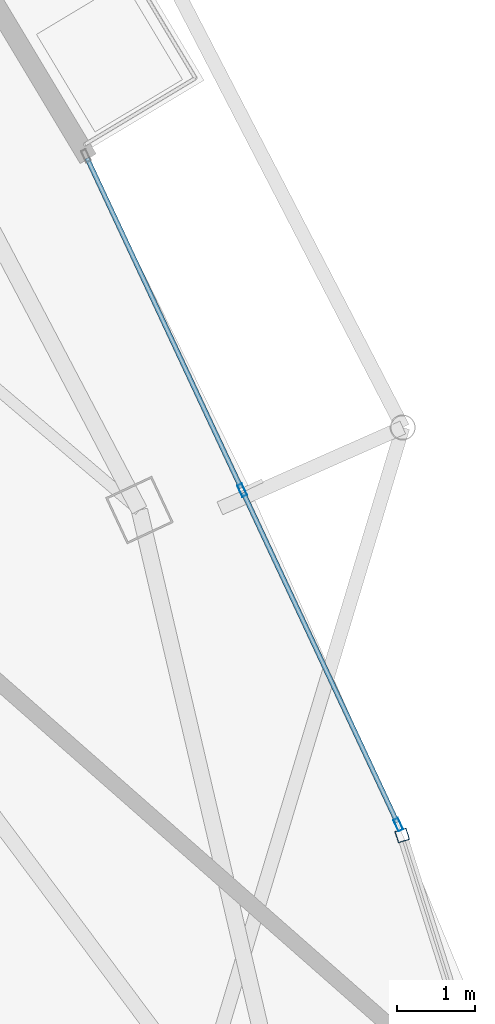
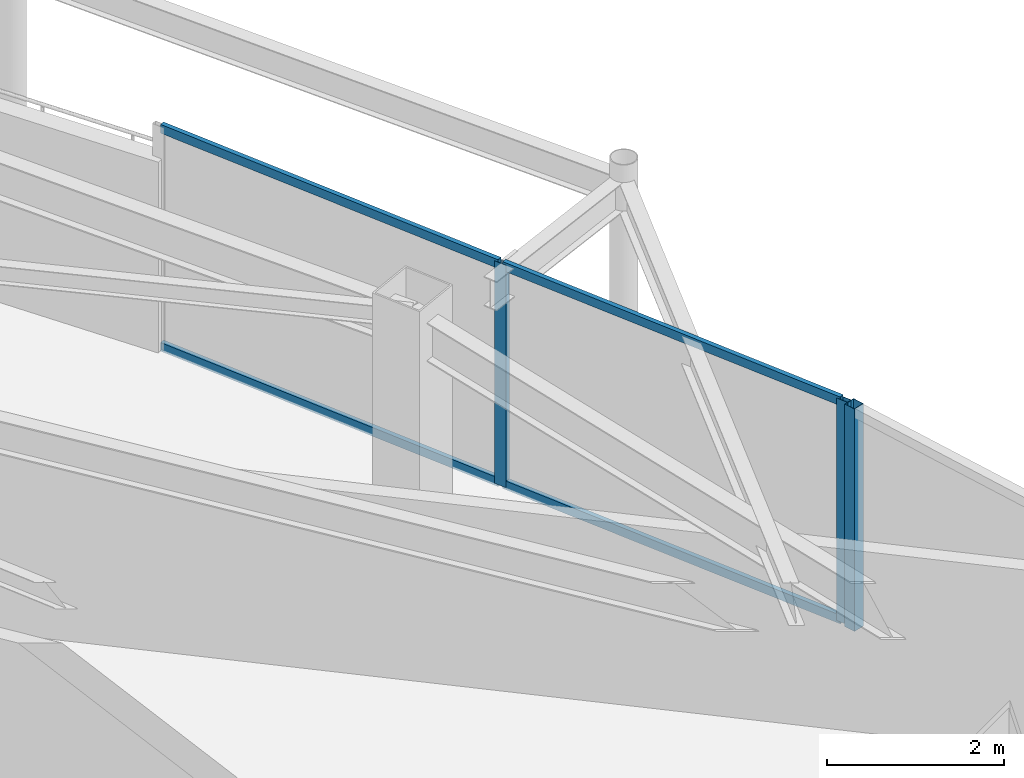
# One storey, part 16 of 28: 7 members, 2 elements without a shape of their own.
"""IFC4 building model written with IfcOpenShell, lengths in metres."""

from ifc_helpers import new_model, si_unit, direction, frame, origin, origin_2d, place, context, subcontext, project, spatial, hollow_rectangle, extrude, material, layer, layer_set, material_profile, profile_set, type_object, element, aggregate, save


model = new_model("IFC4")

# Units and contexts
model_context = context("Model", 3, precision=1e-05, world=origin(), true_north=direction((0.0, 1.0)))
body_context = subcontext(model_context, "Body", "Model", "MODEL_VIEW")
ifc_project = project(units=[si_unit("LENGTHUNIT", "METRE"), si_unit("AREAUNIT", "SQUARE_METRE"), si_unit("VOLUMEUNIT", "CUBIC_METRE"), si_unit("PLANEANGLEUNIT", "RADIAN"), si_unit("MASSUNIT", "GRAM", prefix="KILO")], contexts=[model_context])

# Site, building, storey
site_placement = place(None, origin())
site = spatial("IfcSite", under=ifc_project, at=site_placement, CompositionType="ELEMENT")
building_placement = place(site_placement, origin())
building = spatial("IfcBuilding", under=site, at=building_placement, Name="Orvanel Arch Residences", CompositionType="ELEMENT")
storey_placement = place(building_placement, frame((0.0, 0.0, 260.14990234375)))
storey = spatial("IfcBuildingStorey", under=building, at=storey_placement, Name="L74", CompositionType="ELEMENT", Elevation=260.14990234375)

# Curtain wall, member
ifc_material = material(Name="Bronze-anodised aluminium AA6063-T6", Category="aluminium")
ifc_layer_1 = layer(ifc_material, 0.18994140625)
ifc_layer_set_1 = layer_set([ifc_layer_1], Name="Bronze-anodised aluminium AA6063-T6")
curtain_wall_type_1 = type_object("IfcCurtainWallType", Name="CW5-CRN-SYS", PredefinedType="NOTDEFINED", material=ifc_layer_set_1)
curtain_wall_1_placement = place(storey_placement, origin())
curtain_wall_1 = element("IfcCurtainWall", 1, at=curtain_wall_1_placement, inside=storey, type_object=curtain_wall_type_1, Name="L74 CW5-CRN-SYS Unitised Curtain Wall", PredefinedType="NOTDEFINED")
ifc_material_profile_1 = material_profile(ifc_material, hollow_rectangle(XDim=0.14990234375, YDim=0.14990234375, WallThickness=0.0048828125, at=origin_2d()), Name="ALU150x150x5")
ifc_profile_set_1 = profile_set([ifc_material_profile_1], Name="Bronze-anodised aluminium AA6063-T6")
member_type_1 = type_object("IfcMemberType", Name="MUL-150x150", PredefinedType="MULLION", material=ifc_profile_set_1)
member_1_placement = place(storey_placement, frame((52.983642578125, 15.493408203125, 0.0), z_axis=(0.0, 0.0, 1.0), x_axis=(-0.953425503375, -0.30162859532, 0.0)))
member_1 = element("IfcMember", 2, at=member_1_placement, type_object=member_type_1, Name="CW-S5 mullion 2", PredefinedType="MULLION", context=body_context, shape_type="SweptSolid", body=[
    extrude(hollow_rectangle(XDim=0.14990234375, YDim=0.14990234375, WallThickness=0.0048828125, at=origin_2d()), origin(), (0.0, 0.0, 1.0), 3.06005859375),
])
aggregate(curtain_wall_1, [member_1])

# Curtain wall, members
ifc_layer_2 = layer(ifc_material, 0.175048828125)
ifc_layer_set_2 = layer_set([ifc_layer_2], Name="Bronze-anodised aluminium AA6063-T6")
curtain_wall_type_2 = type_object("IfcCurtainWallType", Name="CW4-HI-SYS", PredefinedType="NOTDEFINED", material=ifc_layer_set_2)
curtain_wall_2_placement = place(storey_placement, origin())
curtain_wall_2 = element("IfcCurtainWall", 3, at=curtain_wall_2_placement, inside=storey, type_object=curtain_wall_type_2, Name="L74 CW4-HI-SYS Unitised Curtain Wall", PredefinedType="NOTDEFINED")
ifc_material_profile_2 = material_profile(ifc_material, hollow_rectangle(XDim=0.06494140625, YDim=0.159912109375, WallThickness=0.00390625, at=origin_2d()), Name="ALU160x65x4")
ifc_profile_set_2 = profile_set([ifc_material_profile_2], Name="Bronze-anodised aluminium AA6063-T6")
member_type_2 = type_object("IfcMemberType", Name="MUL-160x65", PredefinedType="MULLION", material=ifc_profile_set_2)
member_2_placement = place(storey_placement, frame((52.933349609375, 15.63134765625, 0.0), z_axis=(0.0, 0.0, 1.0), x_axis=(-0.906094149888, -0.423076106083, 0.0)))
member_2 = element("IfcMember", 4, at=member_2_placement, type_object=member_type_2, Name="CW-S4 mullion 1", PredefinedType="MULLION", context=body_context, shape_type="SweptSolid", body=[
    extrude(hollow_rectangle(XDim=0.06494140625, YDim=0.159912109375, WallThickness=0.00390625, at=origin_2d()), origin(), (0.0, 0.0, 1.0), 3.06005859375),
])
member_3_placement = place(storey_placement, frame((50.9423828125, 19.89501953125, 0.0), z_axis=(0.0, 0.0, 1.0), x_axis=(-0.906094149888, -0.423076106083, 0.0)))
member_3 = element("IfcMember", 5, at=member_3_placement, type_object=member_type_2, Name="CW-S4 mullion 2", PredefinedType="MULLION", context=body_context, shape_type="SweptSolid", body=[
    extrude(hollow_rectangle(XDim=0.06494140625, YDim=0.159912109375, WallThickness=0.00390625, at=origin_2d()), origin(), (0.0, 0.0, 1.0), 3.06005859375),
])
ifc_material_profile_3 = material_profile(ifc_material, hollow_rectangle(XDim=0.06005859375, YDim=0.1201171875, WallThickness=0.00341796875, at=origin_2d()), Name="ALU120x60x3.5")
ifc_profile_set_3 = profile_set([ifc_material_profile_3], Name="Bronze-anodised aluminium AA6063-T6")
member_type_3 = type_object("IfcMemberType", Name="TRN-120x60", PredefinedType="USERDEFINED", material=ifc_profile_set_3)
member_4_placement = place(storey_placement, frame((52.91943359375, 15.660888671875, 0.030029296875), z_axis=(-0.423061154088, 0.906101131167, 0.0), x_axis=(-0.906101131167, -0.423061154088, 0.0)))
member_4 = element("IfcMember", 6, at=member_4_placement, type_object=member_type_3, Name="CW-S4 transom 1.1", ObjectType="TRANSOM", PredefinedType="USERDEFINED", context=body_context, shape_type="SweptSolid", body=[
    extrude(hollow_rectangle(XDim=0.06005859375, YDim=0.1201171875, WallThickness=0.00341796875, at=origin_2d()), origin(), (0.0, 0.0, 1.0), 4.640380859375),
])
member_5_placement = place(storey_placement, frame((52.91943359375, 15.660888671875, 3.030029296875), z_axis=(-0.423061154088, 0.906101131167, 0.0), x_axis=(-0.906101131167, -0.423061154088, 0.0)))
member_5 = element("IfcMember", 7, at=member_5_placement, type_object=member_type_3, Name="CW-S4 transom 1.2", ObjectType="TRANSOM", PredefinedType="USERDEFINED", context=body_context, shape_type="SweptSolid", body=[
    extrude(hollow_rectangle(XDim=0.06005859375, YDim=0.1201171875, WallThickness=0.00341796875, at=origin_2d()), origin(), (0.0, 0.0, 1.0), 4.640380859375),
])
member_6_placement = place(storey_placement, frame((50.9287109375, 19.924560546875, 0.030029296875), z_axis=(-0.423061154088, 0.906101131167, 0.0), x_axis=(-0.906101131167, -0.423061154088, 0.0)))
member_6 = element("IfcMember", 8, at=member_6_placement, type_object=member_type_3, Name="CW-S4 transom 2.1", ObjectType="TRANSOM", PredefinedType="USERDEFINED", context=body_context, shape_type="SweptSolid", body=[
    extrude(hollow_rectangle(XDim=0.06005859375, YDim=0.1201171875, WallThickness=0.00341796875, at=origin_2d()), origin(), (0.0, 0.0, 1.0), 4.640380859375),
])
member_7_placement = place(storey_placement, frame((50.9287109375, 19.924560546875, 3.030029296875), z_axis=(-0.423061154088, 0.906101131167, 0.0), x_axis=(-0.906101131167, -0.423061154088, 0.0)))
member_7 = element("IfcMember", 9, at=member_7_placement, type_object=member_type_3, Name="CW-S4 transom 2.2", ObjectType="TRANSOM", PredefinedType="USERDEFINED", context=body_context, shape_type="SweptSolid", body=[
    extrude(hollow_rectangle(XDim=0.06005859375, YDim=0.1201171875, WallThickness=0.00341796875, at=origin_2d()), origin(), (0.0, 0.0, 1.0), 4.640380859375),
])
aggregate(curtain_wall_2, [member_2, member_3, member_4, member_5, member_6, member_7])

save(model, "model.ifc")
